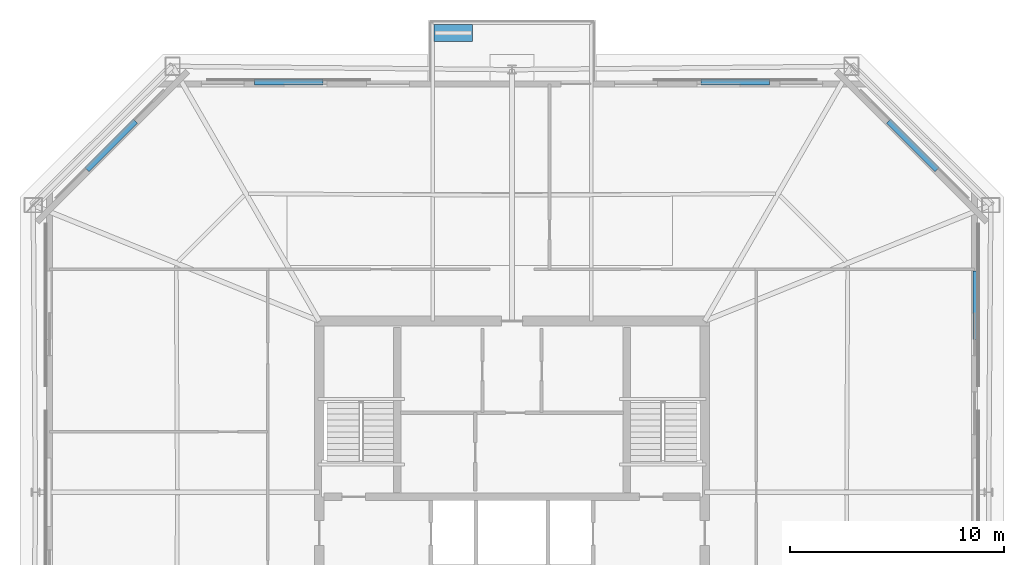
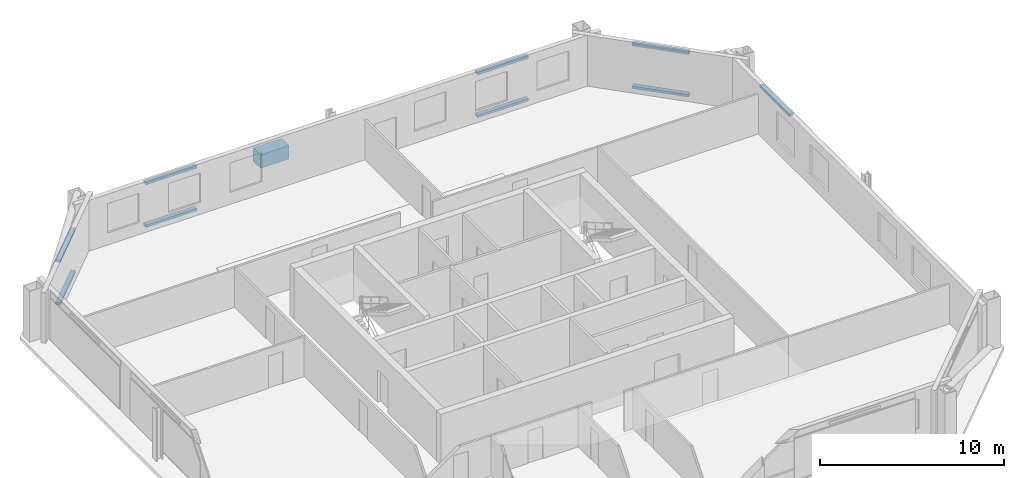
# One storey, part 5 of 7: 10 discrete accessories.
"""IFC4 building model written with IfcOpenShell, lengths in metres."""

import ifcopenshell
import ifcopenshell.guid

model = None  # the IFC model being written
_history = None  # IfcOwnerHistory: only IFC2X3 demands one
_inside = {}  # id of a spatial element -> (the spatial element, [elements in it])
_under = {}  # id of a project, library or spatial element -> (it, [spatial elements below it])
_declared = {}  # id of a project -> (the project, [libraries it declares])
_typed = {}  # id of a type object -> (the type object, [elements of that type])
_made_of = {}  # id of a material, layer set ... -> (it, [elements and type objects made of it])


def new_model(schema):
    """Start an empty IFC model of exactly this schema.

    Asked for "IFC4X3", IfcOpenShell would pick the latest addendum, in which some entities
    have other attributes; the version numbers below select the first issue.
    IFC2X3 requires an IfcOwnerHistory on every rooted entity: one is made here for all.
    """
    global model, _history
    if schema == "IFC4X3":
        model = ifcopenshell.file(schema_version=(4, 3, 0, 0))
    else:
        model = ifcopenshell.file(schema=schema)
    _inside.clear()
    _under.clear()
    _declared.clear()
    _typed.clear()
    _made_of.clear()
    _history = None
    if model.schema == "IFC2X3":
        org = make("IfcOrganization", Name="unknown")
        user = make(
            "IfcPersonAndOrganization",
            ThePerson=make("IfcPerson", FamilyName="unknown"),
            TheOrganization=org,
        )
        app = make(
            "IfcApplication",
            ApplicationDeveloper=org,
            Version="unknown",
            ApplicationFullName="unknown",
            ApplicationIdentifier="unknown",
        )
        _history = make(
            "IfcOwnerHistory",
            OwningUser=user,
            OwningApplication=app,
            ChangeAction="ADDED",
            CreationDate=0,
        )
    return model


def make(cls, **values):
    """One entity of the class cls with the attributes given. An attribute that is None is left unset."""
    return model.create_entity(
        cls, **{name: value for name, value in values.items() if value is not None}
    )


def rooted(cls, **values):
    """An entity with a GlobalId (a new one), such as an element, a storey or a relation."""
    return make(cls, GlobalId=ifcopenshell.guid.new(), OwnerHistory=_history, **values)


def si_unit(unit_type, name, prefix=None):
    """IfcSIUnit, for example si_unit("LENGTHUNIT", "METRE", prefix="MILLI")."""
    return make("IfcSIUnit", UnitType=unit_type, Prefix=prefix, Name=name)


def assignment(units):
    """IfcUnitAssignment: the units of a project."""
    return None if units is None else make("IfcUnitAssignment", Units=units)


def point(xyz):
    """IfcCartesianPoint."""
    return None if xyz is None else make("IfcCartesianPoint", Coordinates=xyz)


def direction(xyz):
    """IfcDirection."""
    return None if xyz is None else make("IfcDirection", DirectionRatios=xyz)


def frame(location, z_axis=None, x_axis=None):
    """IfcAxis2Placement3D, a coordinate frame: its origin and axes. An axis left out is left unset."""
    return make(
        "IfcAxis2Placement3D",
        Location=point(location),
        Axis=direction(z_axis),
        RefDirection=direction(x_axis),
    )


def frame_2d(location, x_axis=None):
    """IfcAxis2Placement2D, a coordinate frame in the plane: its origin and x axis."""
    return make(
        "IfcAxis2Placement2D", Location=point(location), RefDirection=direction(x_axis)
    )


def origin():
    """The frame at (0, 0, 0) with its axes left unset."""
    return frame((0.0, 0.0, 0.0))


def origin_2d():
    """The frame at (0, 0) in the plane with its x axis left unset."""
    return frame_2d((0.0, 0.0))


def place(relative_to, where):
    """IfcLocalPlacement: puts the frame where relative to a parent placement (None: the world)."""
    return make(
        "IfcLocalPlacement", PlacementRelTo=relative_to, RelativePlacement=where
    )


def context(
    kind, dimensions, precision=None, world=None, true_north=None, identifier=None
):
    """IfcGeometricRepresentationContext, for example the 3D "Model" context."""
    return make(
        "IfcGeometricRepresentationContext",
        ContextIdentifier=identifier,
        ContextType=kind,
        CoordinateSpaceDimension=dimensions,
        Precision=precision,
        WorldCoordinateSystem=world,
        TrueNorth=true_north,
    )


def subcontext(parent, identifier, kind, view, scale=None):
    """IfcGeometricRepresentationSubContext, for example "Body" below "Model"."""
    return make(
        "IfcGeometricRepresentationSubContext",
        ContextIdentifier=identifier,
        ContextType=kind,
        ParentContext=parent,
        TargetScale=scale,
        TargetView=view,
    )


def project(units=None, contexts=None):
    """IfcProject with its units and contexts."""
    return rooted(
        "IfcProject",
        Name="project",
        RepresentationContexts=contexts,
        UnitsInContext=assignment(units),
    )


def spatial(cls, under=None, at=None, **own):
    """A site, building, storey or space (cls), placed at a placement, below another one or the project."""
    s = rooted(cls, ObjectPlacement=at, **own)
    if under is not None:
        _under.setdefault(under.id(), (under, []))[1].append(s)
    return s


def profile(cls, at=None, kind="AREA", **sizes):
    """A parametric profile (cls). Its sizes go by their IFC names, for example OverallWidth=200.0."""
    return make(cls, ProfileType=kind, Position=at, **sizes)


def rectangle(**sizes):
    """IfcRectangleProfileDef."""
    return profile("IfcRectangleProfileDef", **sizes)


def extrude(swept, where, along, depth):
    """IfcExtrudedAreaSolid: the profile swept, set in the frame where, extruded along a direction by depth."""
    return make(
        "IfcExtrudedAreaSolid",
        SweptArea=swept,
        Position=where,
        ExtrudedDirection=direction(along),
        Depth=depth,
    )


def shape(context_of_items, identifier, shape_type, items):
    """IfcShapeRepresentation: the items that make up one representation, for example the "Body"."""
    return make(
        "IfcShapeRepresentation",
        ContextOfItems=context_of_items,
        RepresentationIdentifier=identifier,
        RepresentationType=shape_type,
        Items=items,
    )


def material(Name=None, Category=None):
    """IfcMaterial."""
    return make("IfcMaterial", Name=Name, Category=Category)


def made_of(thing, what):
    """Note that an element or type object is made of a material, layer set ...; save() writes the relation."""
    if what is not None:
        _made_of.setdefault(what.id(), (what, []))[1].append(thing)
    return thing


def type_object(cls, material=None, **own):
    """A type object (cls), such as IfcWallType, which elements share."""
    return made_of(rooted(cls, **own), material)


def element(
    cls,
    number,
    at=None,
    inside=None,
    cuts=None,
    type_object=None,
    material=None,
    context=None,
    identifier="Body",
    shape_type=None,
    held_by="IfcProductDefinitionShape",
    body=None,
    shapes=None,
    **own,
):
    """One element of the class cls, such as IfcWall. Its Tag is "e" and its number.

    at: its placement. inside: the storey or other place that contains it. cuts: it is an
    opening in that element (IfcRelVoidsElement). A single representation is given by context,
    identifier, shape_type and body (its items); several are given by shapes. held_by: the class
    of the entity that holds the representations. save() writes the other relations.
    """
    e = rooted(cls, Tag="e%d" % number, ObjectPlacement=at, **own)
    if body is not None:
        shapes = [shape(context, identifier, shape_type, body)]
    if shapes is not None:
        e.Representation = make(held_by, Representations=shapes)
    if inside is not None:
        _inside.setdefault(inside.id(), (inside, []))[1].append(e)
    if cuts is not None:
        rooted(
            "IfcRelVoidsElement", RelatingBuildingElement=cuts, RelatedOpeningElement=e
        )
    if type_object is not None:
        _typed.setdefault(type_object.id(), (type_object, []))[1].append(e)
    return made_of(e, material)


def aggregate(whole, parts):
    """IfcRelAggregates: a whole, such as a stair, and the parts it consists of."""
    return rooted("IfcRelAggregates", RelatingObject=whole, RelatedObjects=parts)


def save(model, path):
    """Write the relations noted so far, then the file.

    IfcRelAggregates (storeys below a building ...), IfcRelContainedInSpatialStructure (elements
    in a storey), IfcRelDefinesByType, IfcRelAssociatesMaterial and IfcRelDeclares: one each for
    every whole, place, type object, material and project.
    """
    for whole, parts in _under.values():
        aggregate(whole, parts)
    for where, things in _inside.values():
        rooted(
            "IfcRelContainedInSpatialStructure",
            RelatedElements=things,
            RelatingStructure=where,
        )
    for kind, things in _typed.values():
        rooted("IfcRelDefinesByType", RelatedObjects=things, RelatingType=kind)
    for what, things in _made_of.values():
        rooted("IfcRelAssociatesMaterial", RelatedObjects=things, RelatingMaterial=what)
    for by, libraries in _declared.values():
        rooted("IfcRelDeclares", RelatingContext=by, RelatedDefinitions=libraries)
    model.write(path)


model = new_model("IFC4")

# Units and contexts
model_context = context("Model", 3, precision=1e-05, world=origin(), true_north=direction((0.0, 1.0)))
body_context = subcontext(model_context, "Body", "Model", "MODEL_VIEW")
ifc_project = project(units=[si_unit("LENGTHUNIT", "METRE"), si_unit("AREAUNIT", "SQUARE_METRE"), si_unit("VOLUMEUNIT", "CUBIC_METRE"), si_unit("PLANEANGLEUNIT", "RADIAN"), si_unit("MASSUNIT", "GRAM", prefix="KILO")], contexts=[model_context])

# Site, building, storey
site_placement = place(None, origin())
site = spatial("IfcSite", under=ifc_project, at=site_placement, CompositionType="ELEMENT")
building_placement = place(site_placement, origin())
building = spatial("IfcBuilding", under=site, at=building_placement, Name="Caelvoria Tower", CompositionType="ELEMENT")
storey_placement = place(building_placement, frame((0.0, 0.0, 187.800048828125)))
storey = spatial("IfcBuildingStorey", under=building, at=storey_placement, Name="L49", CompositionType="ELEMENT", Elevation=187.800048828125)

# Discrete accessories
ifc_material_1 = material(Name="Anodised Bronze Stainless Bracket", Category="bronze")
discrete_accessory_type_1 = type_object("IfcDiscreteAccessoryType", Name="Solar Screen Outrigger Support Bracket", PredefinedType="BRACKET", material=ifc_material_1)
for number, where, z_axis, x_axis, name in (
    (1, (67.677001953125, 40.74658203125, 3.0751953125), (0.0, 0.0, 1.0), (0.0, 1.0, 0.0), "Upper Screen Band Bracket L49-E2-02"),
    (2, (64.718505859375, 48.198486328125, 0.240234375), (0.0, 0.0, 1.0), (-0.707106781187, 0.707106781187, 0.0), "Solar Screen Bracket L49-E3-00"),
    (3, (64.718505859375, 48.198486328125, 3.0751953125), (0.0, 0.0, 1.0), (-0.707106781187, 0.707106781187, 0.0), "Upper Screen Band Bracket L49-E3-00"),
    (4, (56.4267578125, 51.156982421875, 0.240234375), (0.0, 0.0, 1.0), (-1.0, 0.0, 0.0), "Solar Screen Bracket L49-E4-00"),
    (5, (56.4267578125, 51.156982421875, 3.0751953125), (0.0, 0.0, 1.0), (-1.0, 0.0, 0.0), "Upper Screen Band Bracket L49-E4-00"),
    (6, (35.5732421875, 51.156982421875, 0.240234375), (0.0, 0.0, 1.0), (-1.0, 0.0, 0.0), "Solar Screen Bracket L49-E4-02"),
    (7, (35.5732421875, 51.156982421875, 3.0751953125), (0.0, 0.0, 1.0), (-1.0, 0.0, 0.0), "Upper Screen Band Bracket L49-E4-02"),
    (8, (27.281494140625, 48.198486328125, 0.240234375), (0.0, 0.0, 1.0), (-0.707106781187, -0.707106781187, 0.0), "Solar Screen Bracket L49-E5-00"),
    (9, (27.281494140625, 48.198486328125, 3.0751953125), (0.0, 0.0, 1.0), (-0.707106781187, -0.707106781187, 0.0), "Upper Screen Band Bracket L49-E5-00"),
):
    element("IfcDiscreteAccessory", number, at=place(storey_placement, frame(where, z_axis=z_axis, x_axis=x_axis)), inside=storey, type_object=discrete_accessory_type_1, Name=name, PredefinedType="BRACKET", context=body_context, shape_type="SweptSolid", body=[
        extrude(rectangle(XDim=3.199951171875, YDim=0.280029296875, at=origin_2d()), origin(), (0.0, 0.0, 1.0), 0.159912109375),
    ])
ifc_material_2 = material(Name="Bronze-Clad Concrete C40/50 Planter Vessel", Category="concrete")
discrete_accessory_type_2 = type_object("IfcDiscreteAccessoryType", Name="Tree Balcony Structural Planter Vessel PLANTER", PredefinedType="USERDEFINED", material=ifc_material_2)
discrete_accessory_placement = place(storey_placement, frame((43.25, 53.4599609375, 0.0), z_axis=(0.0, 0.0, 1.0), x_axis=(1.0, 0.0, 0.0)))
element("IfcDiscreteAccessory", 10, at=discrete_accessory_placement, inside=storey, type_object=discrete_accessory_type_2, Name="Tree Balcony Planter TB-L49-N", ObjectType="PLANTER", PredefinedType="USERDEFINED", context=body_context, shape_type="SweptSolid", body=[
    extrude(rectangle(XDim=1.800048828125, YDim=0.800048828125, at=origin_2d()), origin(), (0.0, 0.0, 1.0), 0.89990234375),
])

save(model, "model.ifc")
